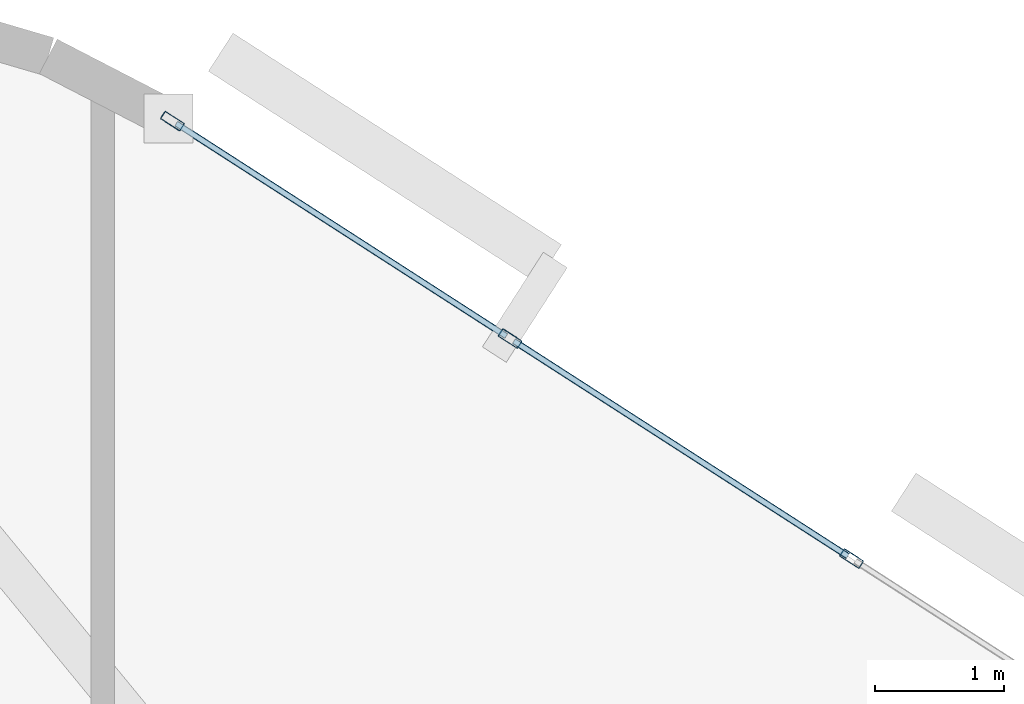
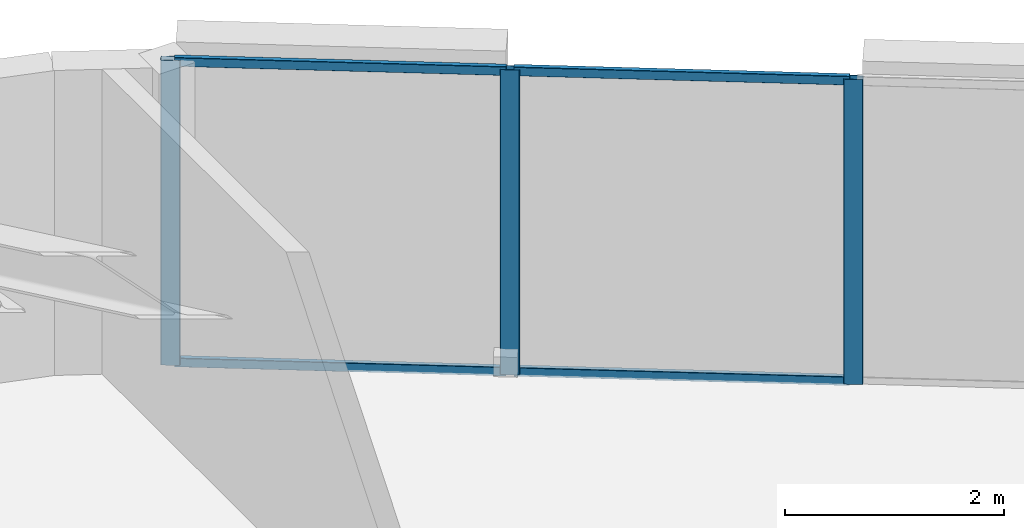
# One storey, part 8 of 15: 7 members, 1 element without a shape of its own.
"""IFC4 building model written with IfcOpenShell, lengths in metres."""

import ifcopenshell
import ifcopenshell.guid

model = None  # the IFC model being written
_history = None  # IfcOwnerHistory: only IFC2X3 demands one
_inside = {}  # id of a spatial element -> (the spatial element, [elements in it])
_under = {}  # id of a project, library or spatial element -> (it, [spatial elements below it])
_declared = {}  # id of a project -> (the project, [libraries it declares])
_typed = {}  # id of a type object -> (the type object, [elements of that type])
_made_of = {}  # id of a material, layer set ... -> (it, [elements and type objects made of it])


def new_model(schema):
    """Start an empty IFC model of exactly this schema.

    Asked for "IFC4X3", IfcOpenShell would pick the latest addendum, in which some entities
    have other attributes; the version numbers below select the first issue.
    IFC2X3 requires an IfcOwnerHistory on every rooted entity: one is made here for all.
    """
    global model, _history
    if schema == "IFC4X3":
        model = ifcopenshell.file(schema_version=(4, 3, 0, 0))
    else:
        model = ifcopenshell.file(schema=schema)
    _inside.clear()
    _under.clear()
    _declared.clear()
    _typed.clear()
    _made_of.clear()
    _history = None
    if model.schema == "IFC2X3":
        org = make("IfcOrganization", Name="unknown")
        user = make(
            "IfcPersonAndOrganization",
            ThePerson=make("IfcPerson", FamilyName="unknown"),
            TheOrganization=org,
        )
        app = make(
            "IfcApplication",
            ApplicationDeveloper=org,
            Version="unknown",
            ApplicationFullName="unknown",
            ApplicationIdentifier="unknown",
        )
        _history = make(
            "IfcOwnerHistory",
            OwningUser=user,
            OwningApplication=app,
            ChangeAction="ADDED",
            CreationDate=0,
        )
    return model


def make(cls, **values):
    """One entity of the class cls with the attributes given. An attribute that is None is left unset."""
    return model.create_entity(
        cls, **{name: value for name, value in values.items() if value is not None}
    )


def rooted(cls, **values):
    """An entity with a GlobalId (a new one), such as an element, a storey or a relation."""
    return make(cls, GlobalId=ifcopenshell.guid.new(), OwnerHistory=_history, **values)


def si_unit(unit_type, name, prefix=None):
    """IfcSIUnit, for example si_unit("LENGTHUNIT", "METRE", prefix="MILLI")."""
    return make("IfcSIUnit", UnitType=unit_type, Prefix=prefix, Name=name)


def assignment(units):
    """IfcUnitAssignment: the units of a project."""
    return None if units is None else make("IfcUnitAssignment", Units=units)


def point(xyz):
    """IfcCartesianPoint."""
    return None if xyz is None else make("IfcCartesianPoint", Coordinates=xyz)


def direction(xyz):
    """IfcDirection."""
    return None if xyz is None else make("IfcDirection", DirectionRatios=xyz)


def frame(location, z_axis=None, x_axis=None):
    """IfcAxis2Placement3D, a coordinate frame: its origin and axes. An axis left out is left unset."""
    return make(
        "IfcAxis2Placement3D",
        Location=point(location),
        Axis=direction(z_axis),
        RefDirection=direction(x_axis),
    )


def frame_2d(location, x_axis=None):
    """IfcAxis2Placement2D, a coordinate frame in the plane: its origin and x axis."""
    return make(
        "IfcAxis2Placement2D", Location=point(location), RefDirection=direction(x_axis)
    )


def origin():
    """The frame at (0, 0, 0) with its axes left unset."""
    return frame((0.0, 0.0, 0.0))


def origin_2d():
    """The frame at (0, 0) in the plane with its x axis left unset."""
    return frame_2d((0.0, 0.0))


def place(relative_to, where):
    """IfcLocalPlacement: puts the frame where relative to a parent placement (None: the world)."""
    return make(
        "IfcLocalPlacement", PlacementRelTo=relative_to, RelativePlacement=where
    )


def context(
    kind, dimensions, precision=None, world=None, true_north=None, identifier=None
):
    """IfcGeometricRepresentationContext, for example the 3D "Model" context."""
    return make(
        "IfcGeometricRepresentationContext",
        ContextIdentifier=identifier,
        ContextType=kind,
        CoordinateSpaceDimension=dimensions,
        Precision=precision,
        WorldCoordinateSystem=world,
        TrueNorth=true_north,
    )


def subcontext(parent, identifier, kind, view, scale=None):
    """IfcGeometricRepresentationSubContext, for example "Body" below "Model"."""
    return make(
        "IfcGeometricRepresentationSubContext",
        ContextIdentifier=identifier,
        ContextType=kind,
        ParentContext=parent,
        TargetScale=scale,
        TargetView=view,
    )


def project(units=None, contexts=None):
    """IfcProject with its units and contexts."""
    return rooted(
        "IfcProject",
        Name="project",
        RepresentationContexts=contexts,
        UnitsInContext=assignment(units),
    )


def spatial(cls, under=None, at=None, **own):
    """A site, building, storey or space (cls), placed at a placement, below another one or the project."""
    s = rooted(cls, ObjectPlacement=at, **own)
    if under is not None:
        _under.setdefault(under.id(), (under, []))[1].append(s)
    return s


def profile(cls, at=None, kind="AREA", **sizes):
    """A parametric profile (cls). Its sizes go by their IFC names, for example OverallWidth=200.0."""
    return make(cls, ProfileType=kind, Position=at, **sizes)


def hollow_rectangle(**sizes):
    """IfcRectangleHollowProfileDef."""
    return profile("IfcRectangleHollowProfileDef", **sizes)


def extrude(swept, where, along, depth):
    """IfcExtrudedAreaSolid: the profile swept, set in the frame where, extruded along a direction by depth."""
    return make(
        "IfcExtrudedAreaSolid",
        SweptArea=swept,
        Position=where,
        ExtrudedDirection=direction(along),
        Depth=depth,
    )


def shape(context_of_items, identifier, shape_type, items):
    """IfcShapeRepresentation: the items that make up one representation, for example the "Body"."""
    return make(
        "IfcShapeRepresentation",
        ContextOfItems=context_of_items,
        RepresentationIdentifier=identifier,
        RepresentationType=shape_type,
        Items=items,
    )


def material(Name=None, Category=None):
    """IfcMaterial."""
    return make("IfcMaterial", Name=Name, Category=Category)


def layer(
    of_material, thickness, ventilated=None, Name=None, Category=None, Priority=None
):
    """IfcMaterialLayer: one layer of a wall or slab, of a material (None: an air gap)."""
    return make(
        "IfcMaterialLayer",
        Material=of_material,
        LayerThickness=thickness,
        IsVentilated=ventilated,
        Name=Name,
        Category=Category,
        Priority=Priority,
    )


def layer_set(layers, Name=None):
    """IfcMaterialLayerSet."""
    return make("IfcMaterialLayerSet", MaterialLayers=layers, LayerSetName=Name)


def material_profile(
    of_material, cross_section, Name=None, Category=None, Priority=None
):
    """IfcMaterialProfile: a cross section and its material."""
    return make(
        "IfcMaterialProfile",
        Name=Name,
        Material=of_material,
        Profile=cross_section,
        Priority=Priority,
        Category=Category,
    )


def profile_set(profiles, Name=None, composite=None):
    """IfcMaterialProfileSet."""
    return make(
        "IfcMaterialProfileSet",
        Name=Name,
        MaterialProfiles=profiles,
        CompositeProfile=composite,
    )


def made_of(thing, what):
    """Note that an element or type object is made of a material, layer set ...; save() writes the relation."""
    if what is not None:
        _made_of.setdefault(what.id(), (what, []))[1].append(thing)
    return thing


def type_object(cls, material=None, **own):
    """A type object (cls), such as IfcWallType, which elements share."""
    return made_of(rooted(cls, **own), material)


def element(
    cls,
    number,
    at=None,
    inside=None,
    cuts=None,
    type_object=None,
    material=None,
    context=None,
    identifier="Body",
    shape_type=None,
    held_by="IfcProductDefinitionShape",
    body=None,
    shapes=None,
    **own,
):
    """One element of the class cls, such as IfcWall. Its Tag is "e" and its number.

    at: its placement. inside: the storey or other place that contains it. cuts: it is an
    opening in that element (IfcRelVoidsElement). A single representation is given by context,
    identifier, shape_type and body (its items); several are given by shapes. held_by: the class
    of the entity that holds the representations. save() writes the other relations.
    """
    e = rooted(cls, Tag="e%d" % number, ObjectPlacement=at, **own)
    if body is not None:
        shapes = [shape(context, identifier, shape_type, body)]
    if shapes is not None:
        e.Representation = make(held_by, Representations=shapes)
    if inside is not None:
        _inside.setdefault(inside.id(), (inside, []))[1].append(e)
    if cuts is not None:
        rooted(
            "IfcRelVoidsElement", RelatingBuildingElement=cuts, RelatedOpeningElement=e
        )
    if type_object is not None:
        _typed.setdefault(type_object.id(), (type_object, []))[1].append(e)
    return made_of(e, material)


def aggregate(whole, parts):
    """IfcRelAggregates: a whole, such as a stair, and the parts it consists of."""
    return rooted("IfcRelAggregates", RelatingObject=whole, RelatedObjects=parts)


def save(model, path):
    """Write the relations noted so far, then the file.

    IfcRelAggregates (storeys below a building ...), IfcRelContainedInSpatialStructure (elements
    in a storey), IfcRelDefinesByType, IfcRelAssociatesMaterial and IfcRelDeclares: one each for
    every whole, place, type object, material and project.
    """
    for whole, parts in _under.values():
        aggregate(whole, parts)
    for where, things in _inside.values():
        rooted(
            "IfcRelContainedInSpatialStructure",
            RelatedElements=things,
            RelatingStructure=where,
        )
    for kind, things in _typed.values():
        rooted("IfcRelDefinesByType", RelatedObjects=things, RelatingType=kind)
    for what, things in _made_of.values():
        rooted("IfcRelAssociatesMaterial", RelatedObjects=things, RelatingMaterial=what)
    for by, libraries in _declared.values():
        rooted("IfcRelDeclares", RelatingContext=by, RelatedDefinitions=libraries)
    model.write(path)


model = new_model("IFC4")

# Units and contexts
model_context = context("Model", 3, precision=1e-05, world=origin(), true_north=direction((0.0, 1.0)))
body_context = subcontext(model_context, "Body", "Model", "MODEL_VIEW")
ifc_project = project(units=[si_unit("LENGTHUNIT", "METRE"), si_unit("AREAUNIT", "SQUARE_METRE"), si_unit("VOLUMEUNIT", "CUBIC_METRE"), si_unit("PLANEANGLEUNIT", "RADIAN"), si_unit("MASSUNIT", "GRAM", prefix="KILO")], contexts=[model_context])

# Site, building, storey
site_placement = place(None, origin())
site = spatial("IfcSite", under=ifc_project, at=site_placement, CompositionType="ELEMENT")
building_placement = place(site_placement, origin())
building = spatial("IfcBuilding", under=site, at=building_placement, Name="An Khanh Terracotta Commons", CompositionType="ELEMENT")
storey_placement = place(building_placement, frame((0.0, 0.0, 143.800048828125)))
storey = spatial("IfcBuildingStorey", under=building, at=storey_placement, Name="L37", CompositionType="ELEMENT", Elevation=143.800048828125)

# Curtain wall, members
ifc_material = material(Name="Anodised Aluminium 6063-T6", Category="aluminium")
ifc_layer = layer(ifc_material, 0.2099609375, Name="Anodised Aluminium 6063-T6")
ifc_layer_set = layer_set([ifc_layer], Name="Anodised Aluminium 6063-T6")
curtain_wall_type = type_object("IfcCurtainWallType", Name="CW-SYS-03", PredefinedType="USERDEFINED", material=ifc_layer_set)
curtain_wall_placement = place(storey_placement, origin())
curtain_wall = element("IfcCurtainWall", 1, at=curtain_wall_placement, inside=storey, type_object=curtain_wall_type, Name="L37 CW-03 Unitised Curtain Wall CW-L37-16", ObjectType="UNITISED CURTAIN WALL", PredefinedType="USERDEFINED")
ifc_material_profile_1 = material_profile(ifc_material, hollow_rectangle(XDim=0.070068359375, YDim=0.179931640625, WallThickness=0.00390625, InnerFilletRadius=0.00390625, OuterFilletRadius=0.008056640625, at=origin_2d()), Name="RHS180x70x4")
ifc_profile_set_1 = profile_set([ifc_material_profile_1], Name="Anodised Aluminium 6063-T6")
member_type_1 = type_object("IfcMemberType", Name="CWM-RHS180x70x4", PredefinedType="MULLION", material=ifc_profile_set_1)
member_1_placement = place(storey_placement, frame((57.838623046875, 37.52392578125, 0.0), z_axis=(0.0, 0.0, 1.0), x_axis=(-0.541497931062, -0.840702081986, 0.0)))
member_1 = element("IfcMember", 2, at=member_1_placement, type_object=member_type_1, Name="CW-03 mullion 2", PredefinedType="MULLION", context=body_context, shape_type="SweptSolid", body=[
    extrude(hollow_rectangle(XDim=0.070068359375, YDim=0.179931640625, WallThickness=0.00390625, InnerFilletRadius=0.00390625, OuterFilletRadius=0.008056640625, at=origin_2d()), origin(), (0.0, 0.0, 1.0), 3.39990234375),
])
member_2_placement = place(storey_placement, frame((55.19921875, 39.22412109375, 0.0), z_axis=(0.0, 0.0, 1.0), x_axis=(-0.541497931062, -0.840702081986, 0.0)))
member_2 = element("IfcMember", 3, at=member_2_placement, type_object=member_type_1, Name="CW-03 mullion 3", PredefinedType="MULLION", context=body_context, shape_type="SweptSolid", body=[
    extrude(hollow_rectangle(XDim=0.070068359375, YDim=0.179931640625, WallThickness=0.00390625, InnerFilletRadius=0.00390625, OuterFilletRadius=0.008056640625, at=origin_2d()), origin(), (0.0, 0.0, 1.0), 3.39990234375),
])
member_3_placement = place(storey_placement, frame((52.58935546875, 40.905029296875, 0.0), z_axis=(0.0, 0.0, 1.0), x_axis=(-0.541497931062, -0.840702081986, 0.0)))
member_3 = element("IfcMember", 4, at=member_3_placement, type_object=member_type_1, Name="CW-03 mullion 4", PredefinedType="MULLION", context=body_context, shape_type="SweptSolid", body=[
    extrude(hollow_rectangle(XDim=0.070068359375, YDim=0.179931640625, WallThickness=0.00390625, InnerFilletRadius=0.00390625, OuterFilletRadius=0.008056640625, at=origin_2d()), origin(), (0.0, 0.0, 1.0), 3.39990234375),
])
ifc_material_profile_2 = material_profile(ifc_material, hollow_rectangle(XDim=0.050048828125, YDim=0.10009765625, WallThickness=0.003173828125, InnerFilletRadius=0.003173828125, OuterFilletRadius=0.00634765625, at=origin_2d()), Name="RHS100x50x3.2")
ifc_profile_set_2 = profile_set([ifc_material_profile_2], Name="Anodised Aluminium 6063-T6")
member_type_2 = type_object("IfcMemberType", Name="CWT-RHS100x50x3.2", PredefinedType="USERDEFINED", material=ifc_profile_set_2)
member_4_placement = place(storey_placement, frame((57.809326171875, 37.54296875, 0.02490234375), z_axis=(-0.840707825526, 0.54148901383, 0.0), x_axis=(-0.54148901383, -0.840707825526, 0.0)))
member_4 = element("IfcMember", 5, at=member_4_placement, type_object=member_type_2, Name="CW-03 transom 2.1", ObjectType="TRANSOM", PredefinedType="USERDEFINED", context=body_context, shape_type="SweptSolid", body=[
    extrude(hollow_rectangle(XDim=0.050048828125, YDim=0.10009765625, WallThickness=0.003173828125, InnerFilletRadius=0.003173828125, OuterFilletRadius=0.00634765625, at=origin_2d()), origin(), (0.0, 0.0, 1.0), 3.069580078125),
])
member_5_placement = place(storey_placement, frame((57.809326171875, 37.54296875, 3.375), z_axis=(-0.840707825526, 0.54148901383, 0.0), x_axis=(-0.54148901383, -0.840707825526, 0.0)))
member_5 = element("IfcMember", 6, at=member_5_placement, type_object=member_type_2, Name="CW-03 transom 2.2", ObjectType="TRANSOM", PredefinedType="USERDEFINED", context=body_context, shape_type="SweptSolid", body=[
    extrude(hollow_rectangle(XDim=0.050048828125, YDim=0.10009765625, WallThickness=0.003173828125, InnerFilletRadius=0.003173828125, OuterFilletRadius=0.00634765625, at=origin_2d()), origin(), (0.0, 0.0, 1.0), 3.069580078125),
])
member_6_placement = place(storey_placement, frame((55.169921875, 39.242919921875, 0.02490234375), z_axis=(-0.840710223453, 0.541485290826, 0.0), x_axis=(-0.541485290826, -0.840710223453, 0.0)))
member_6 = element("IfcMember", 7, at=member_6_placement, type_object=member_type_2, Name="CW-03 transom 3.1", ObjectType="TRANSOM", PredefinedType="USERDEFINED", context=body_context, shape_type="SweptSolid", body=[
    extrude(hollow_rectangle(XDim=0.050048828125, YDim=0.10009765625, WallThickness=0.003173828125, InnerFilletRadius=0.003173828125, OuterFilletRadius=0.00634765625, at=origin_2d()), origin(), (0.0, 0.0, 1.0), 3.034423828125),
])
member_7_placement = place(storey_placement, frame((55.169921875, 39.242919921875, 3.375), z_axis=(-0.840710223453, 0.541485290826, 0.0), x_axis=(-0.541485290826, -0.840710223453, 0.0)))
member_7 = element("IfcMember", 8, at=member_7_placement, type_object=member_type_2, Name="CW-03 transom 3.2", ObjectType="TRANSOM", PredefinedType="USERDEFINED", context=body_context, shape_type="SweptSolid", body=[
    extrude(hollow_rectangle(XDim=0.050048828125, YDim=0.10009765625, WallThickness=0.003173828125, InnerFilletRadius=0.003173828125, OuterFilletRadius=0.00634765625, at=origin_2d()), origin(), (0.0, 0.0, 1.0), 3.034423828125),
])
aggregate(curtain_wall, [member_1, member_2, member_3, member_4, member_5, member_6, member_7])

save(model, "model.ifc")
